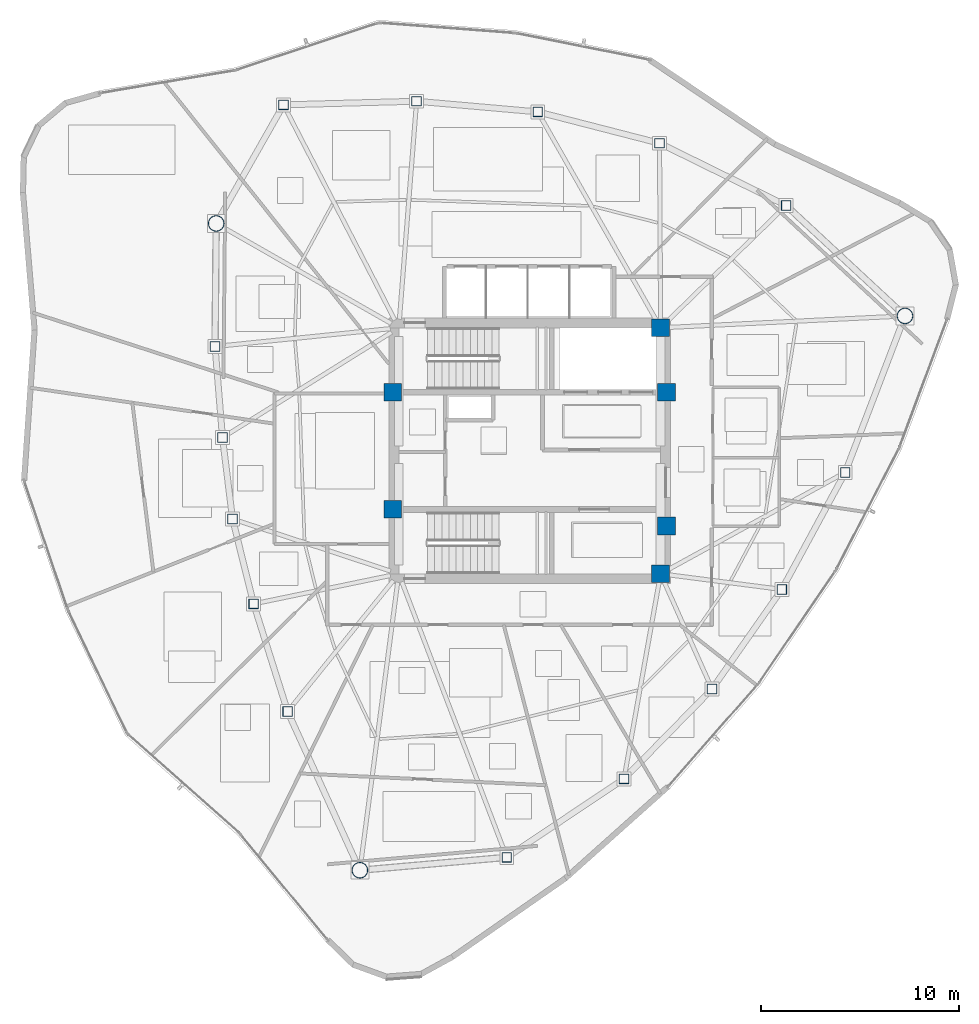
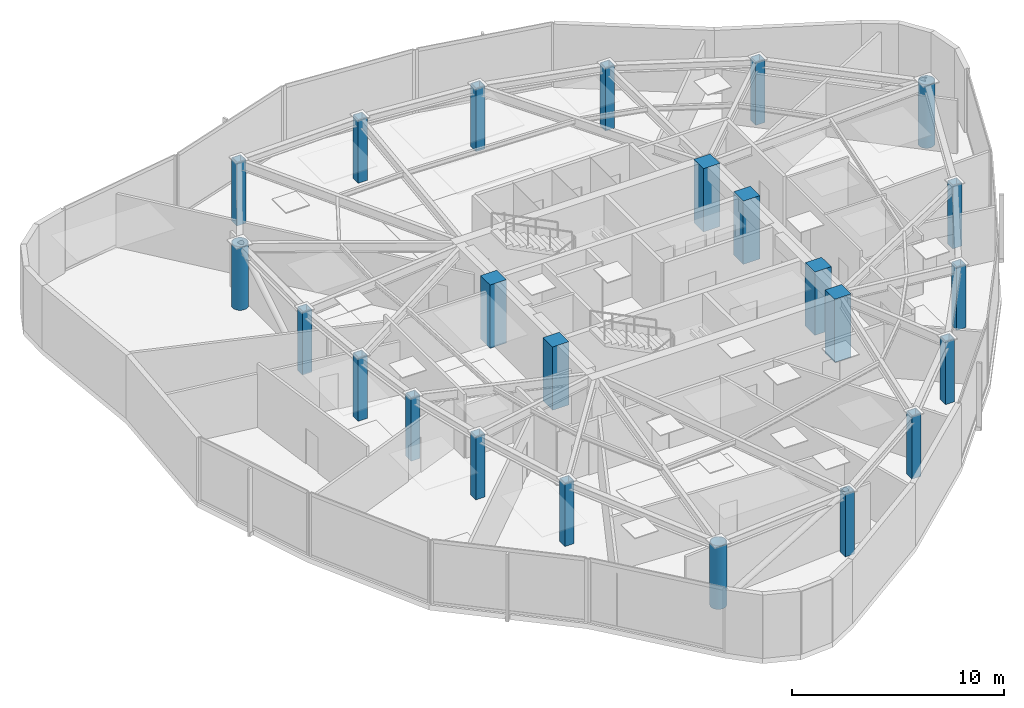
# One storey, part 1 of 13: 24 columns.
"""IFC4 building model written with IfcOpenShell, lengths in metres."""

from ifc_helpers import new_model, si_unit, direction, frame, origin, origin_2d, place, context, subcontext, project, spatial, rectangle, hollow_rectangle, hollow_circle, extrude, material, material_profile, profile_set, type_object, element, save


model = new_model("IFC4")

# Units and contexts
model_context = context("Model", 3, precision=1e-05, world=origin(), true_north=direction((0.0, 1.0)))
body_context = subcontext(model_context, "Body", "Model", "MODEL_VIEW")
ifc_project = project(units=[si_unit("LENGTHUNIT", "METRE"), si_unit("AREAUNIT", "SQUARE_METRE"), si_unit("VOLUMEUNIT", "CUBIC_METRE"), si_unit("PLANEANGLEUNIT", "RADIAN"), si_unit("MASSUNIT", "GRAM", prefix="KILO")], contexts=[model_context])

# Site, building, storey
site_placement = place(None, origin())
site = spatial("IfcSite", under=ifc_project, at=site_placement, CompositionType="ELEMENT")
building_placement = place(site_placement, origin())
building = spatial("IfcBuilding", under=site, at=building_placement, Name="Tavelor Broadcast Tower", CompositionType="ELEMENT")
storey_placement = place(building_placement, frame((0.0, 0.0, 261.64990234375)))
storey = spatial("IfcBuildingStorey", under=building, at=storey_placement, Name="L62", CompositionType="ELEMENT", Elevation=261.64990234375)

# Columns
ifc_material_1 = material(Name="Concrete C50/60", Category="concrete")
ifc_material_profile_1 = material_profile(ifc_material_1, rectangle(XDim=0.89990234375, YDim=0.89990234375, at=origin_2d()), Name="RC 900x900")
ifc_profile_set_1 = profile_set([ifc_material_profile_1], Name="Concrete C50/60")
column_type_1 = type_object("IfcColumnType", Name="Core Embedded Composite Column RC900", PredefinedType="COLUMN", material=ifc_profile_set_1)
for number, where, z_axis, x_axis, name in (
    (1, (43.10009765625, 47.949951171875, 0.0), (0.0, 0.0, 1.0), (1.0, 0.0, 0.0), "L62 Core Embedded Column 1"),
    (2, (56.89990234375, 47.949951171875, 0.0), (0.0, 0.0, 1.0), (1.0, 0.0, 0.0), "L62 Core Embedded Column 2"),
    (3, (56.60009765625, 51.199951171875, 0.0), (0.0, 0.0, 1.0), (1.0, 0.0, 0.0), "L62 Core Embedded Column 3"),
    (4, (43.10009765625, 42.050048828125, 0.0), (0.0, 0.0, 1.0), (1.0, 0.0, 0.0), "L62 Core Embedded Column 4"),
    (5, (56.89990234375, 41.199951171875, 0.0), (0.0, 0.0, 1.0), (1.0, 0.0, 0.0), "L62 Core Embedded Column 5"),
    (6, (56.60009765625, 38.800048828125, 0.0), (0.0, 0.0, 1.0), (1.0, 0.0, 0.0), "L62 Core Embedded Column 6"),
):
    element("IfcColumn", number, at=place(storey_placement, frame(where, z_axis=z_axis, x_axis=x_axis)), inside=storey, type_object=column_type_1, Name=name, PredefinedType="COLUMN", context=body_context, shape_type="SweptSolid", body=[
        extrude(rectangle(XDim=0.89990234375, YDim=0.89990234375, at=origin_2d()), origin(), (0.0, 0.0, 1.0), 3.650146484375),
    ])
ifc_material_2 = material(Name="Steel S460", Category="steel")
ifc_material_profile_2 = material_profile(ifc_material_2, hollow_rectangle(XDim=0.5, YDim=0.5, WallThickness=0.030029296875, at=origin_2d()), Name="SHS 500x500x30")
ifc_profile_set_2 = profile_set([ifc_material_profile_2], Name="Steel S460")
column_type_2 = type_object("IfcColumnType", Name="Perimeter Tube Column T6 SHS 500x500x30", PredefinedType="COLUMN", material=ifc_profile_set_2)
for number, where, z_axis, x_axis, name in (
    (7, (34.13720703125, 50.255859375, 0.0), (0.0, 0.0, 1.0), (1.0, 0.0, 0.0), "L62 Perimeter Framed-Tube Column 02"),
    (8, (34.513671875, 45.66455078125, 0.0), (0.0, 0.0, 1.0), (1.0, 0.0, 0.0), "L62 Perimeter Framed-Tube Column 03"),
    (9, (35.018798828125, 41.56396484375, 0.0), (0.0, 0.0, 1.0), (1.0, 0.0, 0.0), "L62 Perimeter Framed-Tube Column 04"),
    (10, (36.08349609375, 37.2822265625, 0.0), (0.0, 0.0, 1.0), (1.0, 0.0, 0.0), "L62 Perimeter Framed-Tube Column 05"),
    (11, (37.797119140625, 31.853271484375, 0.0), (0.0, 0.0, 1.0), (1.0, 0.0, 0.0), "L62 Perimeter Framed-Tube Column 06"),
    (12, (48.843994140625, 24.5048828125, 0.0), (0.0, 0.0, 1.0), (1.0, 0.0, 0.0), "L62 Perimeter Framed-Tube Column 08"),
    (13, (54.754150390625, 28.461669921875, 0.0), (0.0, 0.0, 1.0), (1.0, 0.0, 0.0), "L62 Perimeter Framed-Tube Column 09"),
    (14, (59.1923828125, 32.987060546875, 0.0), (0.0, 0.0, 1.0), (1.0, 0.0, 0.0), "L62 Perimeter Framed-Tube Column 10"),
    (15, (62.7109375, 38.009033203125, 0.0), (0.0, 0.0, 1.0), (1.0, 0.0, 0.0), "L62 Perimeter Framed-Tube Column 11"),
    (16, (65.9072265625, 43.909423828125, 0.0), (0.0, 0.0, 1.0), (1.0, 0.0, 0.0), "L62 Perimeter Framed-Tube Column 12"),
    (17, (62.92724609375, 57.364013671875, 0.0), (0.0, 0.0, 1.0), (1.0, 0.0, 0.0), "L62 Perimeter Framed-Tube Column 14"),
    (18, (56.545654296875, 60.504150390625, 0.0), (0.0, 0.0, 1.0), (1.0, 0.0, 0.0), "L62 Perimeter Framed-Tube Column 15"),
    (19, (50.4072265625, 62.0849609375, 0.0), (0.0, 0.0, 1.0), (1.0, 0.0, 0.0), "L62 Perimeter Framed-Tube Column 16"),
    (20, (44.298828125, 62.621337890625, 0.0), (0.0, 0.0, 1.0), (1.0, 0.0, 0.0), "L62 Perimeter Framed-Tube Column 17"),
    (21, (37.5908203125, 62.439208984375, 0.0), (0.0, 0.0, 1.0), (1.0, 0.0, 0.0), "L62 Perimeter Framed-Tube Column 18"),
):
    element("IfcColumn", number, at=place(storey_placement, frame(where, z_axis=z_axis, x_axis=x_axis)), inside=storey, type_object=column_type_2, Name=name, PredefinedType="COLUMN", context=body_context, shape_type="SweptSolid", body=[
        extrude(hollow_rectangle(XDim=0.5, YDim=0.5, WallThickness=0.030029296875, at=origin_2d()), origin(), (0.0, 0.0, 1.0), 3.650146484375),
    ])
ifc_material_profile_3 = material_profile(ifc_material_2, hollow_circle(Radius=0.406494140625, WallThickness=0.035888671875, at=origin_2d()), Name="CHS 813x36")
ifc_profile_set_3 = profile_set([ifc_material_profile_3], Name="Steel S460")
column_type_3 = type_object("IfcColumnType", Name="Tower Mega Column T6 CHS 813x36", PredefinedType="COLUMN", material=ifc_profile_set_3)
for number, where, z_axis, x_axis, name in (
    (22, (34.1962890625, 56.4599609375, 0.0), (0.0, 0.0, 1.0), (1.0, 0.0, 0.0), "L62 Tower Corner Mega Column 01"),
    (23, (41.440185546875, 23.853759765625, 0.0), (0.0, 0.0, 1.0), (1.0, 0.0, 0.0), "L62 Tower Corner Mega Column 07"),
    (24, (68.919677734375, 51.799072265625, 0.0), (0.0, 0.0, 1.0), (1.0, 0.0, 0.0), "L62 Tower Corner Mega Column 13"),
):
    element("IfcColumn", number, at=place(storey_placement, frame(where, z_axis=z_axis, x_axis=x_axis)), inside=storey, type_object=column_type_3, Name=name, PredefinedType="COLUMN", context=body_context, shape_type="SweptSolid", body=[
        extrude(hollow_circle(Radius=0.406494140625, WallThickness=0.035888671875, at=origin_2d()), origin(), (0.0, 0.0, 1.0), 3.650146484375),
    ])

save(model, "model.ifc")
